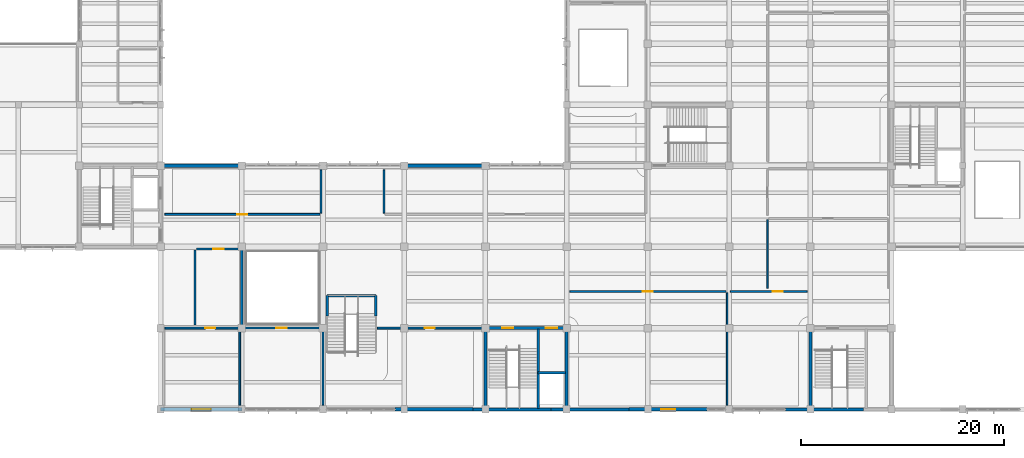
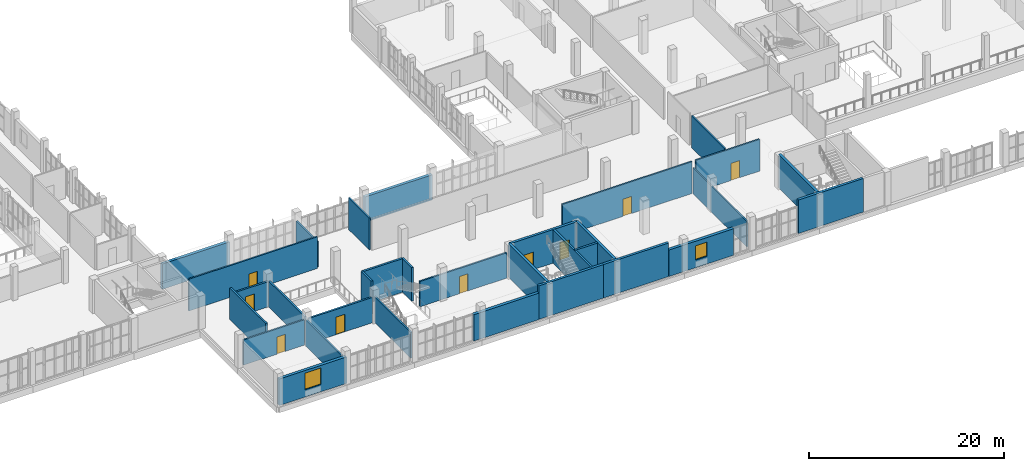
# One storey, part 64 of 85: 32 walls, 9 doors, 2 windows, 11 openings.
"""IFC4 building model written with IfcOpenShell, lengths in metres."""

from ifc_helpers import new_model, si_unit, direction, frame, frame_2d, origin, place, context, subcontext, project, spatial, rectangle, extrude, material, layer, layer_set, type_object, element, fill, save


model = new_model("IFC4")

# Units and contexts
model_context = context("Model", 3, precision=1e-05, world=origin(), true_north=direction((0.0, 1.0)))
body_context = subcontext(model_context, "Body", "Model", "MODEL_VIEW")
ifc_project = project(units=[si_unit("LENGTHUNIT", "METRE"), si_unit("AREAUNIT", "SQUARE_METRE"), si_unit("VOLUMEUNIT", "CUBIC_METRE"), si_unit("PLANEANGLEUNIT", "RADIAN"), si_unit("MASSUNIT", "GRAM", prefix="KILO")], contexts=[model_context])

# Site, building, storey
site_placement = place(None, origin())
site = spatial("IfcSite", under=ifc_project, at=site_placement, CompositionType="ELEMENT")
building_placement = place(site_placement, origin())
building = spatial("IfcBuilding", under=site, at=building_placement, Name="Solvane Community Centre", CompositionType="ELEMENT")
storey_placement = place(building_placement, frame((0.0, 0.0, 5.39990234375)))
storey = spatial("IfcBuildingStorey", under=building, at=storey_placement, Name="L01", CompositionType="ELEMENT", Elevation=5.39990234375)

# Walls
ifc_material_1 = material(Name="Gypsum board partition")
ifc_layer_1 = layer(ifc_material_1, 0.14990234375)
ifc_layer_set_1 = layer_set([ifc_layer_1], Name="Gypsum board partition")
wall_type_1 = type_object("IfcWallType", Name="Acoustic Partition 150mm [111x32dm]", PredefinedType="PARTITIONING", material=ifc_layer_set_1)
wall_1_placement = place(storey_placement, frame((123.800048828125, 6.419921875, 0.0), z_axis=(0.0, 0.0, 1.0), x_axis=(0.0, 1.0, 0.0)))
element("IfcWall", 1, at=wall_1_placement, inside=storey, type_object=wall_type_1, Name="Interior Wall WL-INT-L01-0267", PredefinedType="PARTITIONING", context=body_context, shape_type="SweptSolid", body=[
    extrude(rectangle(XDim=11.06005859375, YDim=0.14990234375, at=frame_2d((5.530029296875, 0.0))), origin(), (0.0, 0.0, 1.0), 3.22509765625),
])
ifc_layer_2 = layer(ifc_material_1, 0.18994140625)
ifc_layer_set_2 = layer_set([ifc_layer_2], Name="Gypsum board partition")
wall_type_2 = type_object("IfcWallType", Name="Acoustic Partition 190mm [75x32dm]", PredefinedType="PARTITIONING", material=ifc_layer_set_2)
wall_2_placement = place(storey_placement, frame((75.800048828125, 6.419921875, 0.0), z_axis=(0.0, 0.0, 1.0), x_axis=(0.0, 1.0, 0.0)))
element("IfcWall", 2, at=wall_2_placement, inside=storey, type_object=wall_type_2, Name="Interior Wall WL-INT-L01-0259", PredefinedType="PARTITIONING", context=body_context, shape_type="SweptSolid", body=[
    extrude(rectangle(XDim=7.4599609375, YDim=0.18994140625, at=frame_2d((3.72998046875, 0.0))), origin(), (0.0, 0.0, 1.0), 3.22509765625),
])

# Wall, opening, window
ifc_material_2 = material(Name="Precast concrete C35/45", Category="concrete")
ifc_layer_3 = layer(ifc_material_2, 0.35009765625)
ifc_layer_set_3 = layer_set([ifc_layer_3], Name="Precast concrete C35/45")
wall_type_3 = type_object("IfcWallType", Name="Art Deco Limestone Cavity Wall 350mm [77x33dm]", PredefinedType="SOLIDWALL", material=ifc_layer_set_3)
wall_3_placement = place(storey_placement, frame((121.84619140625, 6.0, 0.0), z_axis=(0.0, 0.0, 1.0), x_axis=(-1.0, 0.0, 0.0)))
wall_3 = element("IfcWall", 3, at=wall_3_placement, inside=storey, type_object=wall_type_3, Name="Exterior Wall WL-EXT-L01-0064", PredefinedType="SOLIDWALL", context=body_context, shape_type="SweptSolid", body=[
    extrude(rectangle(XDim=7.6923828125, YDim=0.35009765625, at=frame_2d((3.84619140625, 0.0))), origin(), (0.0, 0.0, 1.0), 3.315185546875),
])
opening_1_placement = place(wall_3_placement, frame((3.14599609375, 0.0, 0.949951171875)))
opening_1 = element("IfcOpeningElement", 4, at=opening_1_placement, cuts=wall_3, Name="Opening WN05", PredefinedType="OPENING", context=body_context, shape_type="SweptSolid", body=[
    extrude(rectangle(XDim=1.39990234375, YDim=1.800048828125, at=frame_2d((0.699951171875, 0.89990234375))), frame((0.0, 0.18505859375, 0.0), z_axis=(0.0, -1.0, 0.0), x_axis=(1.0, 0.0, 0.0)), (0.0, 0.0, 1.0), 0.3701171875),
])
ifc_material_3 = material(Name="Tempered low-E double glazing", Category="glass")
window_type_1 = type_object("IfcWindowType", Name="Studio Deep-Reveal Window 1400x1800", PartitioningType="SINGLE_PANEL", PredefinedType="WINDOW", material=ifc_material_3)
window_1_placement = place(opening_1_placement, origin())
window_1 = element("IfcWindow", 5, at=window_1_placement, inside=storey, type_object=window_type_1, Name="L01-W023", OverallHeight=1.800048828125, OverallWidth=1.39990234375, PartitioningType="SINGLE_PANEL", PredefinedType="WINDOW", context=body_context, shape_type="SweptSolid", body=[
    extrude(rectangle(XDim=1.39990234375, YDim=1.800048828125, at=frame_2d((0.699951171875, 0.89990234375))), frame((0.0, 0.030029296875, 0.0), z_axis=(0.0, -1.0, 0.0), x_axis=(1.0, 0.0, 0.0)), (0.0, 0.0, 1.0), 0.06005859375),
])
fill(opening_1, window_1)

# Walls
wall_4_placement = place(storey_placement, frame((98.769287109375, 6.0, 0.0), z_axis=(0.0, 0.0, 1.0), x_axis=(-1.0, 0.0, 0.0)))
element("IfcWall", 6, at=wall_4_placement, inside=storey, type_object=wall_type_3, Name="Exterior Wall WL-EXT-L01-0067", PredefinedType="SOLIDWALL", context=body_context, shape_type="SweptSolid", body=[
    extrude(rectangle(XDim=7.6923828125, YDim=0.35009765625, at=frame_2d((3.84619140625, 0.0))), origin(), (0.0, 0.0, 1.0), 3.315185546875),
])
ifc_layer_4 = layer(ifc_material_2, 0.35009765625)
ifc_layer_set_4 = layer_set([ifc_layer_4], Name="Precast concrete C35/45")
wall_type_4 = type_object("IfcWallType", Name="Art Deco Limestone Cavity Wall 350mm [80x32dm]", PredefinedType="SOLIDWALL", material=ifc_layer_set_4)
for number, where, z_axis, x_axis, name in (
    (7, (68.0, 30.0, 0.0), (0.0, 0.0, 1.0), (1.0, 0.0, 0.0), "Exterior Wall WL-EXT-L01-0090"),
    (8, (92.0, 30.0, 0.0), (0.0, 0.0, 1.0), (1.0, 0.0, 0.0), "Exterior Wall WL-EXT-L01-0091"),
):
    element("IfcWall", number, at=place(storey_placement, frame(where, z_axis=z_axis, x_axis=x_axis)), inside=storey, type_object=wall_type_4, Name=name, PredefinedType="SOLIDWALL", context=body_context, shape_type="SweptSolid", body=[
        extrude(rectangle(XDim=8.0, YDim=0.35009765625, at=frame_2d((4.0, 0.0))), origin(), (0.0, 0.0, 1.0), 3.1650390625),
    ])

# Wall, opening, window
ifc_layer_5 = layer(ifc_material_2, 0.35009765625)
ifc_layer_set_5 = layer_set([ifc_layer_5], Name="Precast concrete C35/45")
wall_type_5 = type_object("IfcWallType", Name="Art Deco Limestone Cavity Wall 350mm [80x33dm]", PredefinedType="SOLIDWALL", material=ifc_layer_set_5)
wall_5_placement = place(storey_placement, frame((76.0, 6.0, 0.0), z_axis=(0.0, 0.0, 1.0), x_axis=(-1.0, 0.0, 0.0)))
wall_5 = element("IfcWall", 9, at=wall_5_placement, inside=storey, type_object=wall_type_5, Name="Exterior Wall WL-EXT-L01-0068", PredefinedType="SOLIDWALL", context=body_context, shape_type="SweptSolid", body=[
    extrude(rectangle(XDim=8.0, YDim=0.35009765625, at=frame_2d((4.0, 0.0))), origin(), (0.0, 0.0, 1.0), 3.315185546875),
])
opening_2_placement = place(wall_5_placement, frame((3.050048828125, 0.0, 0.89990234375)))
opening_2 = element("IfcOpeningElement", 10, at=opening_2_placement, cuts=wall_5, Name="Opening WN15", PredefinedType="OPENING", context=body_context, shape_type="SweptSolid", body=[
    extrude(rectangle(XDim=1.89990234375, YDim=2.10009765625, at=frame_2d((0.949951171875, 1.050048828125))), frame((0.0, 0.18505859375, 0.0), z_axis=(0.0, -1.0, 0.0), x_axis=(1.0, 0.0, 0.0)), (0.0, 0.0, 1.0), 0.3701171875),
])
window_type_2 = type_object("IfcWindowType", Name="Belvedere Seminar Window 1900x2100", PartitioningType="DOUBLE_PANEL_VERTICAL", PredefinedType="WINDOW", material=ifc_material_3)
window_2_placement = place(opening_2_placement, origin())
window_2 = element("IfcWindow", 11, at=window_2_placement, inside=storey, type_object=window_type_2, Name="L01-W024", OverallHeight=2.10009765625, OverallWidth=1.89990234375, PartitioningType="DOUBLE_PANEL_VERTICAL", PredefinedType="WINDOW", context=body_context, shape_type="SweptSolid", body=[
    extrude(rectangle(XDim=1.89990234375, YDim=2.10009765625, at=frame_2d((0.949951171875, 1.050048828125))), frame((0.0, 0.030029296875, 0.0), z_axis=(0.0, -1.0, 0.0), x_axis=(1.0, 0.0, 0.0)), (0.0, 0.0, 1.0), 0.06005859375),
])
fill(opening_2, window_2)

# Wall, opening, door
ifc_material_4 = material(Name="Terracotta clay masonry", Category="masonry")
ifc_layer_6 = layer(ifc_material_4, 0.219970703125)
ifc_layer_set_6 = layer_set([ifc_layer_6], Name="Terracotta clay masonry")
wall_type_6 = type_object("IfcWallType", Name="Masonry Compartment Wall 220mm [44x32dm]", PredefinedType="SOLIDWALL", material=ifc_layer_set_6)
wall_6_placement = place(storey_placement, frame((75.8798828125, 21.800048828125, 0.0), z_axis=(0.0, 0.0, 1.0), x_axis=(-1.0, 0.0, 0.0)))
wall_6 = element("IfcWall", 12, at=wall_6_placement, inside=storey, type_object=wall_type_6, Name="Interior Wall WL-INT-L01-0262", PredefinedType="SOLIDWALL", context=body_context, shape_type="SweptSolid", body=[
    extrude(rectangle(XDim=4.35986328125, YDim=0.219970703125, at=frame_2d((2.179931640625, 0.0))), origin(), (0.0, 0.0, 1.0), 3.1650390625),
])
opening_3_placement = place(wall_6_placement, frame((1.655029296875, 0.0, 0.0)))
opening_3 = element("IfcOpeningElement", 13, at=opening_3_placement, cuts=wall_6, Name="Opening FD01", PredefinedType="OPENING", context=body_context, shape_type="SweptSolid", body=[
    extrude(rectangle(XDim=1.050048828125, YDim=2.199951171875, at=frame_2d((0.52490234375, 1.10009765625))), frame((0.0, 0.119873046875, 0.0), z_axis=(0.0, -1.0, 0.0), x_axis=(1.0, 0.0, 0.0)), (0.0, 0.0, 1.0), 0.239990234375),
])
ifc_material_5 = material(Name="Anodised bronze aluminium AW-6063 T6", Category="aluminium")
door_type_1 = type_object("IfcDoorType", Name="Compartment Fire Door 1050x2200", OperationType="NOTDEFINED", PredefinedType="DOOR", material=ifc_material_5)
door_1_placement = place(opening_3_placement, origin())
door_1 = element("IfcDoor", 14, at=door_1_placement, inside=storey, type_object=door_type_1, Name="L01-D095", OperationType="SINGLE_SWING_LEFT", OverallHeight=2.199951171875, OverallWidth=1.050048828125, PredefinedType="DOOR", context=body_context, shape_type="SweptSolid", body=[
    extrude(rectangle(XDim=1.050048828125, YDim=2.199951171875, at=frame_2d((0.52490234375, 1.10009765625))), frame((0.0, 0.02490234375, 0.0), z_axis=(0.0, -1.0, 0.0), x_axis=(1.0, 0.0, 0.0)), (0.0, 0.0, 1.0), 0.050048828125),
])
fill(opening_3, door_1)

# Walls
ifc_layer_7 = layer(ifc_material_4, 0.219970703125)
ifc_layer_set_7 = layer_set([ifc_layer_7], Name="Terracotta clay masonry")
wall_type_7 = type_object("IfcWallType", Name="Masonry Compartment Wall 220mm [74x32dm]", PredefinedType="SOLIDWALL", material=ifc_layer_set_7)
wall_7_placement = place(storey_placement, frame((76.0, 14.320068359375, 0.0), z_axis=(0.0, 0.0, 1.0), x_axis=(0.0, 1.0, 0.0)))
element("IfcWall", 15, at=wall_7_placement, inside=storey, type_object=wall_type_7, Name="Interior Wall WL-INT-L01-0264", PredefinedType="SOLIDWALL", context=body_context, shape_type="SweptSolid", body=[
    extrude(rectangle(XDim=7.35986328125, YDim=0.219970703125, at=frame_2d((3.679931640625, 0.0))), origin(), (0.0, 0.0, 1.0), 3.22509765625),
])
ifc_layer_8 = layer(ifc_material_4, 0.219970703125)
ifc_layer_set_8 = layer_set([ifc_layer_8], Name="Terracotta clay masonry")
wall_type_8 = type_object("IfcWallType", Name="Masonry Compartment Wall 220mm [74x40dm]", PredefinedType="SOLIDWALL", material=ifc_layer_set_8)
wall_8_placement = place(storey_placement, frame((71.39990234375, 21.679931640625, 0.0), z_axis=(0.0, 0.0, 1.0), x_axis=(0.0, -1.0, 0.0)))
element("IfcWall", 16, at=wall_8_placement, inside=storey, type_object=wall_type_8, Name="Interior Wall WL-INT-L01-0263", PredefinedType="SOLIDWALL", context=body_context, shape_type="SweptSolid", body=[
    extrude(rectangle(XDim=7.35986328125, YDim=0.219970703125, at=frame_2d((3.679931640625, 0.0))), origin(), (0.0, 0.0, 1.0), 3.97998046875),
])

# Wall, opening, door
ifc_layer_9 = layer(ifc_material_4, 0.219970703125)
ifc_layer_set_9 = layer_set([ifc_layer_9], Name="Terracotta clay masonry")
wall_type_9 = type_object("IfcWallType", Name="Masonry Compartment Wall 220mm [76x32dm]", PredefinedType="SOLIDWALL", material=ifc_layer_set_9)
wall_9_placement = place(storey_placement, frame((83.679931640625, 14.0, 0.0), z_axis=(0.0, 0.0, 1.0), x_axis=(-1.0, 0.0, 0.0)))
wall_9 = element("IfcWall", 17, at=wall_9_placement, inside=storey, type_object=wall_type_9, Name="Interior Wall WL-INT-L01-0265", PredefinedType="SOLIDWALL", context=body_context, shape_type="SweptSolid", body=[
    extrude(rectangle(XDim=7.559814453125, YDim=0.219970703125, at=frame_2d((3.77978515625, 0.0))), origin(), (0.0, 0.0, 1.0), 3.1650390625),
])
opening_4_placement = place(wall_9_placement, frame((3.2548828125, 0.0, 0.0)))
opening_4 = element("IfcOpeningElement", 18, at=opening_4_placement, cuts=wall_9, Name="Opening FD01", PredefinedType="OPENING", context=body_context, shape_type="SweptSolid", body=[
    extrude(rectangle(XDim=1.050048828125, YDim=2.199951171875, at=frame_2d((0.52490234375, 1.10009765625))), frame((0.0, 0.119873046875, 0.0), z_axis=(0.0, -1.0, 0.0), x_axis=(1.0, 0.0, 0.0)), (0.0, 0.0, 1.0), 0.239990234375),
])
door_2_placement = place(opening_4_placement, origin())
door_2 = element("IfcDoor", 19, at=door_2_placement, inside=storey, type_object=door_type_1, Name="L01-D096", OperationType="SINGLE_SWING_RIGHT", OverallHeight=2.199951171875, OverallWidth=1.050048828125, PredefinedType="DOOR", context=body_context, shape_type="SweptSolid", body=[
    extrude(rectangle(XDim=1.050048828125, YDim=2.199951171875, at=frame_2d((0.52490234375, 1.10009765625))), frame((0.0, 0.02490234375, 0.0), z_axis=(0.0, -1.0, 0.0), x_axis=(1.0, 0.0, 0.0)), (0.0, 0.0, 1.0), 0.050048828125),
])
fill(opening_4, door_2)

ifc_layer_10 = layer(ifc_material_1, 0.179931640625)
ifc_layer_set_10 = layer_set([ifc_layer_10], Name="Gypsum board partition")
wall_type_10 = type_object("IfcWallType", Name="Protected Corridor Wall 180mm [103x32dm]", PredefinedType="PARTITIONING", material=ifc_layer_set_10)
wall_10_placement = place(storey_placement, frame((99.679931640625, 14.0, 0.0), z_axis=(0.0, 0.0, 1.0), x_axis=(-1.0, 0.0, 0.0)))
wall_10 = element("IfcWall", 20, at=wall_10_placement, inside=storey, type_object=wall_type_10, Name="Interior Wall WL-INT-L01-0260", PredefinedType="PARTITIONING", context=body_context, shape_type="SweptSolid", body=[
    extrude(rectangle(XDim=10.31982421875, YDim=0.179931640625, at=frame_2d((5.159912109375, 0.0))), origin(), (0.0, 0.0, 1.0), 3.1650390625),
])
opening_5_placement = place(wall_10_placement, frame((4.659912109375, 0.0, 0.0)))
opening_5 = element("IfcOpeningElement", 21, at=opening_5_placement, cuts=wall_10, Name="Opening ID01", PredefinedType="OPENING", context=body_context, shape_type="SweptSolid", body=[
    extrude(rectangle(XDim=1.0, YDim=2.14990234375, at=frame_2d((0.5, 1.074951171875))), frame((0.0, 0.099853515625, 0.0), z_axis=(0.0, -1.0, 0.0), x_axis=(1.0, 0.0, 0.0)), (0.0, 0.0, 1.0), 0.199951171875),
])
door_type_2 = type_object("IfcDoorType", Name="Corridor Rated Classroom Door 1000x2150", OperationType="NOTDEFINED", PredefinedType="DOOR", material=ifc_material_5)
door_3_placement = place(opening_5_placement, origin())
door_3 = element("IfcDoor", 22, at=door_3_placement, inside=storey, type_object=door_type_2, Name="L01-D094", OperationType="SINGLE_SWING_RIGHT", OverallHeight=2.14990234375, OverallWidth=1.0, PredefinedType="DOOR", context=body_context, shape_type="SweptSolid", body=[
    extrude(rectangle(XDim=1.0, YDim=2.14990234375, at=frame_2d((0.5, 1.074951171875))), frame((0.0, 0.02490234375, 0.0), z_axis=(0.0, -1.0, 0.0), x_axis=(1.0, 0.0, 0.0)), (0.0, 0.0, 1.0), 0.050048828125),
])
fill(opening_5, door_3)

ifc_layer_11 = layer(ifc_material_1, 0.179931640625)
ifc_layer_set_11 = layer_set([ifc_layer_11], Name="Gypsum board partition")
wall_type_11 = type_object("IfcWallType", Name="Protected Corridor Wall 180mm [153x40dm]", PredefinedType="PARTITIONING", material=ifc_layer_set_11)
wall_11_placement = place(storey_placement, frame((68.419921875, 25.199951171875, 0.0), z_axis=(0.0, 0.0, 1.0), x_axis=(1.0, 0.0, 0.0)))
wall_11 = element("IfcWall", 23, at=wall_11_placement, inside=storey, type_object=wall_type_11, Name="Interior Wall WL-INT-L01-0272", PredefinedType="PARTITIONING", context=body_context, shape_type="SweptSolid", body=[
    extrude(rectangle(XDim=15.260009765625, YDim=0.179931640625, at=frame_2d((7.6298828125, 0.0))), origin(), (0.0, 0.0, 1.0), 3.97998046875),
])
opening_6_placement = place(wall_11_placement, frame((7.1298828125, 0.0, 0.0)))
opening_6 = element("IfcOpeningElement", 24, at=opening_6_placement, cuts=wall_11, Name="Opening ID01", PredefinedType="OPENING", context=body_context, shape_type="SweptSolid", body=[
    extrude(rectangle(XDim=1.0, YDim=2.14990234375, at=frame_2d((0.5, 1.074951171875))), frame((0.0, 0.099853515625, 0.0), z_axis=(0.0, -1.0, 0.0), x_axis=(1.0, 0.0, 0.0)), (0.0, 0.0, 1.0), 0.199951171875),
])
door_4_placement = place(opening_6_placement, origin())
door_4 = element("IfcDoor", 25, at=door_4_placement, inside=storey, type_object=door_type_2, Name="L01-D100", OperationType="SINGLE_SWING_LEFT", OverallHeight=2.14990234375, OverallWidth=1.0, PredefinedType="DOOR", context=body_context, shape_type="SweptSolid", body=[
    extrude(rectangle(XDim=1.0, YDim=2.14990234375, at=frame_2d((0.5, 1.074951171875))), frame((0.0, 0.02490234375, 0.0), z_axis=(0.0, -1.0, 0.0), x_axis=(1.0, 0.0, 0.0)), (0.0, 0.0, 1.0), 0.050048828125),
])
fill(opening_6, door_4)

ifc_layer_12 = layer(ifc_material_1, 0.179931640625)
ifc_layer_set_12 = layer_set([ifc_layer_12], Name="Gypsum board partition")
wall_type_12 = type_object("IfcWallType", Name="Protected Corridor Wall 180mm [154x40dm]", PredefinedType="PARTITIONING", material=ifc_layer_set_12)
wall_12_placement = place(storey_placement, frame((123.679931640625, 17.60009765625, 0.0), z_axis=(0.0, 0.0, 1.0), x_axis=(-1.0, 0.0, 0.0)))
wall_12 = element("IfcWall", 26, at=wall_12_placement, inside=storey, type_object=wall_type_12, Name="Interior Wall WL-INT-L01-0266", PredefinedType="PARTITIONING", context=body_context, shape_type="SweptSolid", body=[
    extrude(rectangle(XDim=15.35986328125, YDim=0.179931640625, at=frame_2d((7.679931640625, 0.0))), origin(), (0.0, 0.0, 1.0), 3.97998046875),
])
opening_7_placement = place(wall_12_placement, frame((7.179931640625, 0.0, 0.0)))
opening_7 = element("IfcOpeningElement", 27, at=opening_7_placement, cuts=wall_12, Name="Opening ID01", PredefinedType="OPENING", context=body_context, shape_type="SweptSolid", body=[
    extrude(rectangle(XDim=1.0, YDim=2.14990234375, at=frame_2d((0.5, 1.074951171875))), frame((0.0, 0.099853515625, 0.0), z_axis=(0.0, -1.0, 0.0), x_axis=(1.0, 0.0, 0.0)), (0.0, 0.0, 1.0), 0.199951171875),
])
door_5_placement = place(opening_7_placement, origin())
door_5 = element("IfcDoor", 28, at=door_5_placement, inside=storey, type_object=door_type_2, Name="L01-D097", OperationType="SINGLE_SWING_LEFT", OverallHeight=2.14990234375, OverallWidth=1.0, PredefinedType="DOOR", context=body_context, shape_type="SweptSolid", body=[
    extrude(rectangle(XDim=1.0, YDim=2.14990234375, at=frame_2d((0.5, 1.074951171875))), frame((0.0, 0.02490234375, 0.0), z_axis=(0.0, -1.0, 0.0), x_axis=(1.0, 0.0, 0.0)), (0.0, 0.0, 1.0), 0.050048828125),
])
fill(opening_7, door_5)

# Walls
ifc_layer_13 = layer(ifc_material_1, 0.179931640625)
ifc_layer_set_13 = layer_set([ifc_layer_13], Name="Gypsum board partition")
wall_type_13 = type_object("IfcWallType", Name="Protected Corridor Wall 180mm [43x32dm]", PredefinedType="PARTITIONING", material=ifc_layer_set_13)
wall_13_placement = place(storey_placement, frame((83.800048828125, 25.320068359375, 0.0), z_axis=(0.0, 0.0, 1.0), x_axis=(0.0, 1.0, 0.0)))
element("IfcWall", 29, at=wall_13_placement, inside=storey, type_object=wall_type_13, Name="Interior Wall WL-INT-L01-0273", PredefinedType="PARTITIONING", context=body_context, shape_type="SweptSolid", body=[
    extrude(rectangle(XDim=4.260009765625, YDim=0.179931640625, at=frame_2d((2.1298828125, 0.0))), origin(), (0.0, 0.0, 1.0), 3.22509765625),
])
ifc_layer_14 = layer(ifc_material_1, 0.179931640625)
ifc_layer_set_14 = layer_set([ifc_layer_14], Name="Gypsum board partition")
wall_type_14 = type_object("IfcWallType", Name="Protected Corridor Wall 180mm [43x40dm]", PredefinedType="PARTITIONING", material=ifc_layer_set_14)
wall_14_placement = place(storey_placement, frame((90.0, 29.580078125, 0.0), z_axis=(0.0, 0.0, 1.0), x_axis=(0.0, -1.0, 0.0)))
element("IfcWall", 30, at=wall_14_placement, inside=storey, type_object=wall_type_14, Name="Interior Wall WL-INT-L01-0270", PredefinedType="PARTITIONING", context=body_context, shape_type="SweptSolid", body=[
    extrude(rectangle(XDim=4.260009765625, YDim=0.179931640625, at=frame_2d((2.1298828125, 0.0))), origin(), (0.0, 0.0, 1.0), 3.97998046875),
])

# Wall, opening, door
ifc_layer_15 = layer(ifc_material_1, 0.179931640625)
ifc_layer_set_15 = layer_set([ifc_layer_15], Name="Gypsum board partition")
wall_type_15 = type_object("IfcWallType", Name="Protected Corridor Wall 180mm [73x32dm]", PredefinedType="PARTITIONING", material=ifc_layer_set_15)
wall_15_placement = place(storey_placement, frame((75.679931640625, 14.0, 0.0), z_axis=(0.0, 0.0, 1.0), x_axis=(-1.0, 0.0, 0.0)))
wall_15 = element("IfcWall", 31, at=wall_15_placement, inside=storey, type_object=wall_type_15, Name="Interior Wall WL-INT-L01-0257", PredefinedType="PARTITIONING", context=body_context, shape_type="SweptSolid", body=[
    extrude(rectangle(XDim=7.260009765625, YDim=0.179931640625, at=frame_2d((3.6298828125, 0.0))), origin(), (0.0, 0.0, 1.0), 3.1650390625),
])
opening_8_placement = place(wall_15_placement, frame((2.281005859375, 0.0, 0.0)))
opening_8 = element("IfcOpeningElement", 32, at=opening_8_placement, cuts=wall_15, Name="Opening ID01", PredefinedType="OPENING", context=body_context, shape_type="SweptSolid", body=[
    extrude(rectangle(XDim=1.0, YDim=2.14990234375, at=frame_2d((0.5, 1.074951171875))), frame((0.0, 0.099853515625, 0.0), z_axis=(0.0, -1.0, 0.0), x_axis=(1.0, 0.0, 0.0)), (0.0, 0.0, 1.0), 0.199951171875),
])
door_6_placement = place(opening_8_placement, origin())
door_6 = element("IfcDoor", 33, at=door_6_placement, inside=storey, type_object=door_type_2, Name="L01-D093", OperationType="SINGLE_SWING_LEFT", OverallHeight=2.14990234375, OverallWidth=1.0, PredefinedType="DOOR", context=body_context, shape_type="SweptSolid", body=[
    extrude(rectangle(XDim=1.0, YDim=2.14990234375, at=frame_2d((0.5, 1.074951171875))), frame((0.0, 0.02490234375, 0.0), z_axis=(0.0, -1.0, 0.0), x_axis=(1.0, 0.0, 0.0)), (0.0, 0.0, 1.0), 0.050048828125),
])
fill(opening_8, door_6)

# Wall
ifc_layer_16 = layer(ifc_material_1, 0.179931640625)
ifc_layer_set_16 = layer_set([ifc_layer_16], Name="Gypsum board partition")
wall_type_16 = type_object("IfcWallType", Name="Protected Corridor Wall 180mm [75x32dm]", PredefinedType="PARTITIONING", material=ifc_layer_set_16)
wall_16_placement = place(storey_placement, frame((84.0, 13.8798828125, 0.0), z_axis=(0.0, 0.0, 1.0), x_axis=(0.0, -1.0, 0.0)))
element("IfcWall", 34, at=wall_16_placement, inside=storey, type_object=wall_type_16, Name="Interior Wall WL-INT-L01-0261", PredefinedType="PARTITIONING", context=body_context, shape_type="SweptSolid", body=[
    extrude(rectangle(XDim=7.4599609375, YDim=0.179931640625, at=frame_2d((3.72998046875, 0.0))), origin(), (0.0, 0.0, 1.0), 3.22509765625),
])

# Wall, opening, door
ifc_layer_17 = layer(ifc_material_1, 0.179931640625)
ifc_layer_set_17 = layer_set([ifc_layer_17], Name="Gypsum board partition")
wall_type_17 = type_object("IfcWallType", Name="Protected Corridor Wall 180mm [76x40dm]", PredefinedType="PARTITIONING", material=ifc_layer_set_17)
wall_17_placement = place(storey_placement, frame((131.679931640625, 17.60009765625, 0.0), z_axis=(0.0, 0.0, 1.0), x_axis=(-1.0, 0.0, 0.0)))
wall_17 = element("IfcWall", 35, at=wall_17_placement, inside=storey, type_object=wall_type_17, Name="Interior Wall WL-INT-L01-0268", PredefinedType="PARTITIONING", context=body_context, shape_type="SweptSolid", body=[
    extrude(rectangle(XDim=7.559814453125, YDim=0.179931640625, at=frame_2d((3.77978515625, 0.0))), origin(), (0.0, 0.0, 1.0), 3.97998046875),
])
opening_9_placement = place(wall_17_placement, frame((2.385986328125, 0.0, 0.0)))
opening_9 = element("IfcOpeningElement", 36, at=opening_9_placement, cuts=wall_17, Name="Opening ID01", PredefinedType="OPENING", context=body_context, shape_type="SweptSolid", body=[
    extrude(rectangle(XDim=1.0, YDim=2.14990234375, at=frame_2d((0.5, 1.074951171875))), frame((0.0, 0.099853515625, 0.0), z_axis=(0.0, -1.0, 0.0), x_axis=(1.0, 0.0, 0.0)), (0.0, 0.0, 1.0), 0.199951171875),
])
door_7_placement = place(opening_9_placement, origin())
door_7 = element("IfcDoor", 37, at=door_7_placement, inside=storey, type_object=door_type_2, Name="L01-D098", OperationType="SINGLE_SWING_RIGHT", OverallHeight=2.14990234375, OverallWidth=1.0, PredefinedType="DOOR", context=body_context, shape_type="SweptSolid", body=[
    extrude(rectangle(XDim=1.0, YDim=2.14990234375, at=frame_2d((0.5, 1.074951171875))), frame((0.0, 0.02490234375, 0.0), z_axis=(0.0, -1.0, 0.0), x_axis=(1.0, 0.0, 0.0)), (0.0, 0.0, 1.0), 0.050048828125),
])
fill(opening_9, door_7)

# Wall
ifc_material_6 = material(Name="Concrete C35/45", Category="concrete")
ifc_layer_18 = layer(ifc_material_6, 0.300048828125)
ifc_layer_set_18 = layer_set([ifc_layer_18], Name="Concrete C35/45")
wall_type_18 = type_object("IfcWallType", Name="RC Core Shear Wall 300mm [80x42dm]", PredefinedType="SHEAR", material=ifc_layer_set_18)
wall_18_placement = place(storey_placement, frame((100.0, 6.0, 0.0), z_axis=(0.0, 0.0, 1.0), x_axis=(0.0, 1.0, 0.0)))
element("IfcWall", 38, at=wall_18_placement, inside=storey, type_object=wall_type_18, Name="Interior Wall WL-INT-L01-0034", PredefinedType="SHEAR", context=body_context, shape_type="SweptSolid", body=[
    extrude(rectangle(XDim=8.0, YDim=0.300048828125, at=frame_2d((4.0, 0.0))), origin(), (0.0, 0.0, 1.0), 4.2001953125),
])

# Wall, openings, doors
wall_19_placement = place(storey_placement, frame((100.0, 14.0, 0.0), z_axis=(0.0, 0.0, 1.0), x_axis=(1.0, 0.0, 0.0)))
wall_19 = element("IfcWall", 39, at=wall_19_placement, inside=storey, type_object=wall_type_18, Name="Interior Wall WL-INT-L01-0035", PredefinedType="SHEAR", context=body_context, shape_type="SweptSolid", body=[
    extrude(rectangle(XDim=8.0, YDim=0.300048828125, at=frame_2d((4.0, 0.0))), origin(), (0.0, 0.0, 1.0), 4.2001953125),
])
opening_10_placement = place(wall_19_placement, frame((1.64990234375, 0.0, 0.0)))
opening_10 = element("IfcOpeningElement", 40, at=opening_10_placement, cuts=wall_19, Name="Opening SD02", PredefinedType="OPENING", context=body_context, shape_type="SweptSolid", body=[
    extrude(rectangle(XDim=1.10009765625, YDim=2.199951171875, at=frame_2d((0.550048828125, 1.10009765625))), frame((0.0, 0.159912109375, 0.0), z_axis=(0.0, -1.0, 0.0), x_axis=(1.0, 0.0, 0.0)), (0.0, 0.0, 1.0), 0.320068359375),
])
opening_11_placement = place(wall_19_placement, frame((5.949951171875, 0.0, 0.0)))
opening_11 = element("IfcOpeningElement", 41, at=opening_11_placement, cuts=wall_19, Name="Opening LD01", PredefinedType="OPENING", context=body_context, shape_type="SweptSolid", body=[
    extrude(rectangle(XDim=1.10009765625, YDim=2.199951171875, at=frame_2d((0.550048828125, 1.10009765625))), frame((0.0, 0.159912109375, 0.0), z_axis=(0.0, -1.0, 0.0), x_axis=(1.0, 0.0, 0.0)), (0.0, 0.0, 1.0), 0.320068359375),
])
door_type_3 = type_object("IfcDoorType", Name="Core Stair Fire Door 1100x2200", OperationType="NOTDEFINED", PredefinedType="DOOR", material=ifc_material_5)
door_8_placement = place(opening_10_placement, origin())
door_8 = element("IfcDoor", 42, at=door_8_placement, inside=storey, type_object=door_type_3, Name="L01-D014", OperationType="SINGLE_SWING_RIGHT", OverallHeight=2.199951171875, OverallWidth=1.10009765625, PredefinedType="DOOR", context=body_context, shape_type="SweptSolid", body=[
    extrude(rectangle(XDim=1.10009765625, YDim=2.199951171875, at=frame_2d((0.550048828125, 1.10009765625))), frame((0.0, 0.02490234375, 0.0), z_axis=(0.0, -1.0, 0.0), x_axis=(1.0, 0.0, 0.0)), (0.0, 0.0, 1.0), 0.050048828125),
])
fill(opening_10, door_8)
door_type_4 = type_object("IfcDoorType", Name="Lift Sliding Landing Door 1100x2200", OperationType="NOTDEFINED", PredefinedType="DOOR", material=ifc_material_5)
door_9_placement = place(opening_11_placement, origin())
door_9 = element("IfcDoor", 43, at=door_9_placement, inside=storey, type_object=door_type_4, Name="L01-D015", OperationType="SLIDING_TO_LEFT", OverallHeight=2.199951171875, OverallWidth=1.10009765625, PredefinedType="DOOR", context=body_context, shape_type="SweptSolid", body=[
    extrude(rectangle(XDim=1.10009765625, YDim=2.199951171875, at=frame_2d((0.550048828125, 1.10009765625))), frame((0.0, 0.02490234375, 0.0), z_axis=(0.0, -1.0, 0.0), x_axis=(1.0, 0.0, 0.0)), (0.0, 0.0, 1.0), 0.050048828125),
])
fill(opening_11, door_9)

# Walls
for number, where, z_axis, x_axis, name in (
    (44, (108.0, 14.0, 0.0), (0.0, 0.0, 1.0), (0.0, -1.0, 0.0), "Interior Wall WL-INT-L01-0036"),
    (45, (132.0, 6.0, 0.0), (0.0, 0.0, 1.0), (0.0, 1.0, 0.0), "Interior Wall WL-INT-L01-0058"),
):
    element("IfcWall", number, at=place(storey_placement, frame(where, z_axis=z_axis, x_axis=x_axis)), inside=storey, type_object=wall_type_18, Name=name, PredefinedType="SHEAR", context=body_context, shape_type="SweptSolid", body=[
        extrude(rectangle(XDim=8.0, YDim=0.300048828125, at=frame_2d((4.0, 0.0))), origin(), (0.0, 0.0, 1.0), 4.2001953125),
    ])
ifc_layer_19 = layer(ifc_material_6, 0.300048828125)
ifc_layer_set_19 = layer_set([ifc_layer_19], Name="Concrete C35/45")
wall_type_19 = type_object("IfcWallType", Name="RC Exterior Core Strip Wall 300mm [77x33dm]", PredefinedType="SOLIDWALL", material=ifc_layer_set_19)
wall_20_placement = place(storey_placement, frame((137.230712890625, 6.0, 0.0), z_axis=(0.0, 0.0, 1.0), x_axis=(-1.0, 0.0, 0.0)))
element("IfcWall", 46, at=wall_20_placement, inside=storey, type_object=wall_type_19, Name="Exterior Wall WL-EXT-L01-0063", PredefinedType="SOLIDWALL", context=body_context, shape_type="SweptSolid", body=[
    extrude(rectangle(XDim=7.692138671875, YDim=0.300048828125, at=frame_2d((3.84619140625, 0.0))), origin(), (0.0, 0.0, 1.0), 4.2001953125),
])
wall_21_placement = place(storey_placement, frame((114.15380859375, 6.0, 0.0), z_axis=(0.0, 0.0, 1.0), x_axis=(-1.0, 0.0, 0.0)))
element("IfcWall", 47, at=wall_21_placement, inside=storey, type_object=wall_type_19, Name="Exterior Wall WL-EXT-L01-0065", PredefinedType="SOLIDWALL", context=body_context, shape_type="SweptSolid", body=[
    extrude(rectangle(XDim=7.6923828125, YDim=0.300048828125, at=frame_2d((3.84619140625, 0.0))), origin(), (0.0, 0.0, 1.0), 4.2001953125),
])
wall_22_placement = place(storey_placement, frame((106.46142578125, 6.0, 0.0), z_axis=(0.0, 0.0, 1.0), x_axis=(-1.0, 0.0, 0.0)))
element("IfcWall", 48, at=wall_22_placement, inside=storey, type_object=wall_type_19, Name="Exterior Wall WL-EXT-L01-0066", PredefinedType="SOLIDWALL", context=body_context, shape_type="SweptSolid", body=[
    extrude(rectangle(XDim=7.692138671875, YDim=0.300048828125, at=frame_2d((3.84619140625, 0.0))), origin(), (0.0, 0.0, 1.0), 4.2001953125),
])
ifc_layer_20 = layer(ifc_material_6, 0.25)
ifc_layer_set_20 = layer_set([ifc_layer_20], Name="Concrete C35/45")
wall_type_20 = type_object("IfcWallType", Name="RC Lift Shaft Wall 250mm [20x42dm]", PredefinedType="SHEAR", material=ifc_layer_set_20)
for number, where, z_axis, x_axis, name in (
    (49, (84.39990234375, 15.199951171875, 0.0), (0.0, 0.0, 1.0), (0.0, 1.0, 0.0), "Interior Wall WL-INT-L01-0140"),
    (50, (89.199951171875, 17.199951171875, 0.0), (0.0, 0.0, 1.0), (0.0, -1.0, 0.0), "Interior Wall WL-INT-L01-0142"),
):
    element("IfcWall", number, at=place(storey_placement, frame(where, z_axis=z_axis, x_axis=x_axis)), inside=storey, type_object=wall_type_20, Name=name, PredefinedType="SHEAR", context=body_context, shape_type="SweptSolid", body=[
        extrude(rectangle(XDim=2.0, YDim=0.25, at=frame_2d((1.0, 0.0))), origin(), (0.0, 0.0, 1.0), 4.2001953125),
    ])
ifc_layer_21 = layer(ifc_material_6, 0.25)
ifc_layer_set_21 = layer_set([ifc_layer_21], Name="Concrete C35/45")
wall_type_21 = type_object("IfcWallType", Name="RC Lift Shaft Wall 250mm [27x42dm]", PredefinedType="SHEAR", material=ifc_layer_set_21)
wall_23_placement = place(storey_placement, frame((105.199951171875, 9.6201171875, 0.0), z_axis=(0.0, 0.0, 1.0), x_axis=(1.0, 0.0, 0.0)))
element("IfcWall", 51, at=wall_23_placement, inside=storey, type_object=wall_type_21, Name="Interior Wall WL-INT-L01-0038", PredefinedType="SHEAR", context=body_context, shape_type="SweptSolid", body=[
    extrude(rectangle(XDim=2.699951171875, YDim=0.25, at=frame_2d((1.35009765625, 0.0))), origin(), (0.0, 0.0, 1.0), 4.2001953125),
])
ifc_layer_22 = layer(ifc_material_6, 0.25)
ifc_layer_set_22 = layer_set([ifc_layer_22], Name="Concrete C35/45")
wall_type_22 = type_object("IfcWallType", Name="RC Lift Shaft Wall 250mm [48x42dm]", PredefinedType="SHEAR", material=ifc_layer_set_22)
wall_24_placement = place(storey_placement, frame((84.39990234375, 17.199951171875, 0.0), z_axis=(0.0, 0.0, 1.0), x_axis=(1.0, 0.0, 0.0)))
element("IfcWall", 52, at=wall_24_placement, inside=storey, type_object=wall_type_22, Name="Interior Wall WL-INT-L01-0141", PredefinedType="SHEAR", context=body_context, shape_type="SweptSolid", body=[
    extrude(rectangle(XDim=4.800048828125, YDim=0.25, at=frame_2d((2.39990234375, 0.0))), origin(), (0.0, 0.0, 1.0), 4.2001953125),
])
ifc_layer_23 = layer(ifc_material_6, 0.25)
ifc_layer_set_23 = layer_set([ifc_layer_23], Name="Concrete C35/45")
wall_type_23 = type_object("IfcWallType", Name="RC Lift Shaft Wall 250mm [78x42dm]", PredefinedType="SHEAR", material=ifc_layer_set_23)
wall_25_placement = place(storey_placement, frame((105.199951171875, 6.10009765625, 0.0), z_axis=(0.0, 0.0, 1.0), x_axis=(0.0, 1.0, 0.0)))
element("IfcWall", 53, at=wall_25_placement, inside=storey, type_object=wall_type_23, Name="Interior Wall WL-INT-L01-0037", PredefinedType="SHEAR", context=body_context, shape_type="SweptSolid", body=[
    extrude(rectangle(XDim=7.7998046875, YDim=0.25, at=frame_2d((3.89990234375, 0.0))), origin(), (0.0, 0.0, 1.0), 4.2001953125),
])
ifc_layer_24 = layer(ifc_material_1, 0.159912109375)
ifc_layer_set_24 = layer_set([ifc_layer_24], Name="Gypsum board partition")
wall_type_24 = type_object("IfcWallType", Name="Sanitary Plumbing Chase Wall 160mm [68x40dm]", PredefinedType="PLUMBINGWALL", material=ifc_layer_set_24)
wall_26_placement = place(storey_placement, frame((127.800048828125, 24.679931640625, 0.0), z_axis=(0.0, 0.0, 1.0), x_axis=(0.0, -1.0, 0.0)))
element("IfcWall", 54, at=wall_26_placement, inside=storey, type_object=wall_type_24, Name="Interior Wall WL-INT-L01-0275", PredefinedType="PLUMBINGWALL", context=body_context, shape_type="SweptSolid", body=[
    extrude(rectangle(XDim=6.760009765625, YDim=0.159912109375, at=frame_2d((3.3798828125, 0.0))), origin(), (0.0, 0.0, 1.0), 3.97998046875),
])

save(model, "model.ifc")
